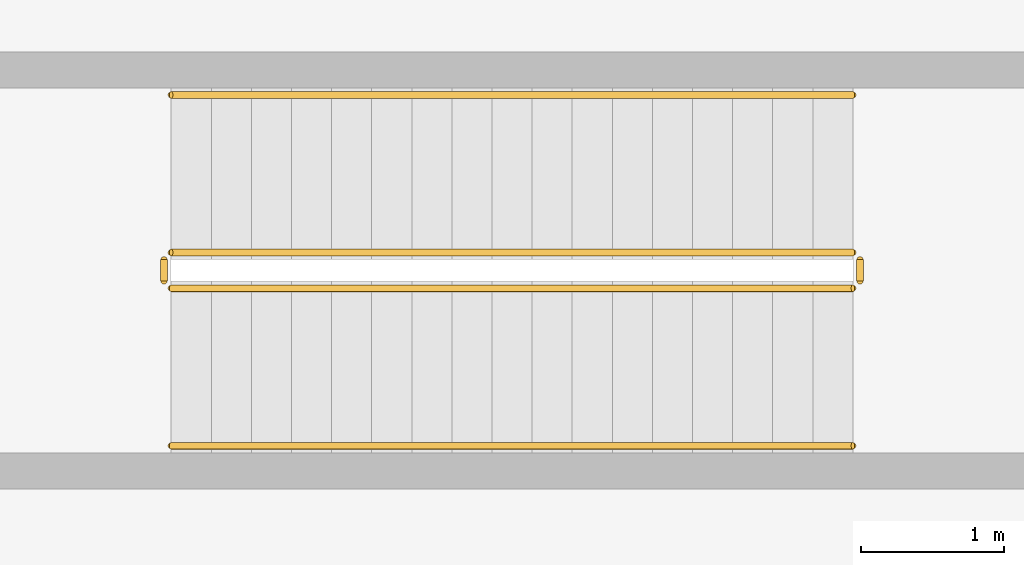
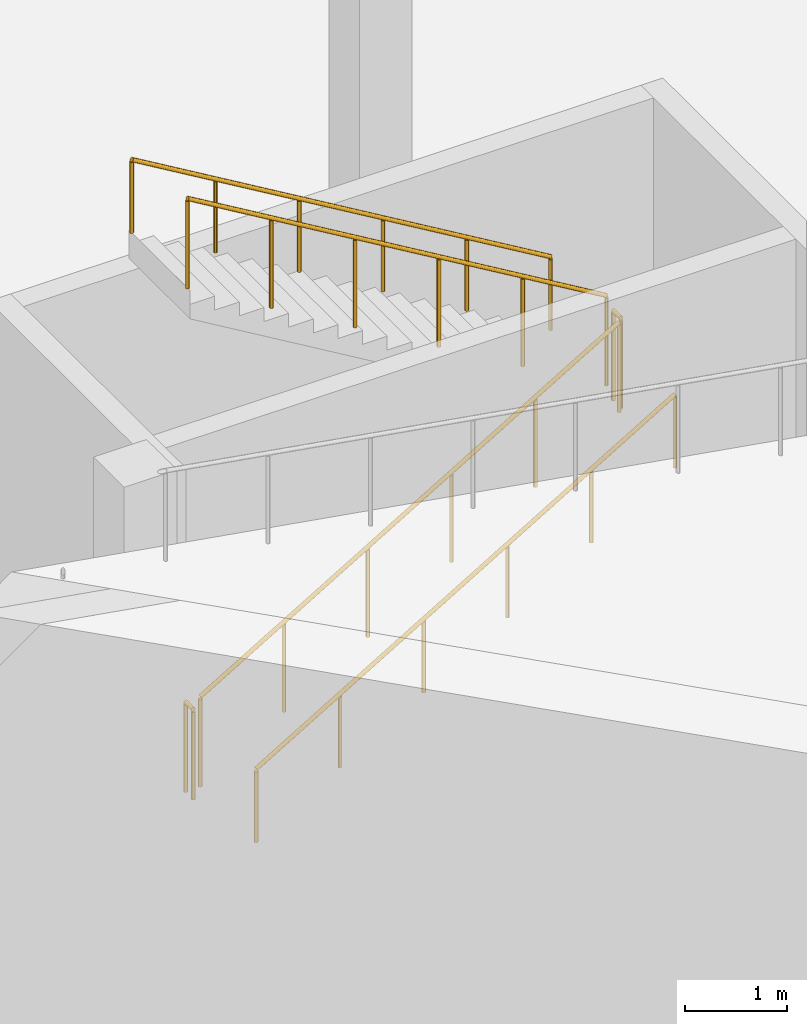
# One storey, part 30 of 45: 6 railings.
"""IFC4 building model written with IfcOpenShell, lengths in metres."""

from ifc_helpers import new_model, si_unit, direction, frame, origin, origin_2d, place, context, subcontext, project, spatial, circle, extrude, material, type_object, element, save


model = new_model("IFC4")

# Units and contexts
model_context = context("Model", 3, precision=1e-05, world=origin(), true_north=direction((0.0, 1.0)))
body_context = subcontext(model_context, "Body", "Model", "MODEL_VIEW")
ifc_project = project(units=[si_unit("LENGTHUNIT", "METRE"), si_unit("AREAUNIT", "SQUARE_METRE"), si_unit("VOLUMEUNIT", "CUBIC_METRE"), si_unit("PLANEANGLEUNIT", "RADIAN"), si_unit("MASSUNIT", "GRAM", prefix="KILO")], contexts=[model_context])

# Site, building, storey
site_placement = place(None, origin())
site = spatial("IfcSite", under=ifc_project, at=site_placement, CompositionType="ELEMENT")
building_placement = place(site_placement, origin())
building = spatial("IfcBuilding", under=site, at=building_placement, Name="Tamorin Gate", CompositionType="ELEMENT")
storey_placement = place(building_placement, frame((0.0, 0.0, -6.0)))
storey = spatial("IfcBuildingStorey", under=building, at=storey_placement, Name="B1", CompositionType="ELEMENT", Elevation=-6.0)

# Railings
ifc_material = material(Name="Steel, galvanised", Category="steel")
railing_type_1 = type_object("IfcRailingType", Name="Steel guard 1100", PredefinedType="GUARDRAIL", material=ifc_material)
railing_1_placement = place(storey_placement, frame((132.35009765625, 15.39990234375, 0.166748046875)))
element("IfcRailing", 1, at=railing_1_placement, inside=storey, type_object=railing_type_1, Name="B1 SB6 stair guard 1", PredefinedType="GUARDRAIL", context=body_context, shape_type="SweptSolid", body=[
    extrude(circle(Radius=0.02392578125, at=origin_2d()), frame((0.0, 0.0, 1.076171875), z_axis=(0.859299802514, 0.0, 0.511472237174), x_axis=(0.0, 1.0, 0.0)), (0.0, 0.0, 1.0), 5.539306640625),
    extrude(circle(Radius=0.02099609375, at=origin_2d()), origin(), (0.0, 0.0, 1.0), 1.052001953125),
    extrude(circle(Radius=0.02099609375, at=origin_2d()), frame((0.951904296875, 0.0, 0.566650390625)), (0.0, 0.0, 1.0), 1.052001953125),
    extrude(circle(Radius=0.02099609375, at=origin_2d()), frame((1.904052734375, 0.0, 1.13330078125)), (0.0, 0.0, 1.0), 1.052001953125),
    extrude(circle(Radius=0.02099609375, at=origin_2d()), frame((2.85595703125, 0.0, 1.699951171875)), (0.0, 0.0, 1.0), 1.052001953125),
    extrude(circle(Radius=0.02099609375, at=origin_2d()), frame((3.80810546875, 0.0, 2.2666015625)), (0.0, 0.0, 1.0), 1.052001953125),
    extrude(circle(Radius=0.02099609375, at=origin_2d()), frame((4.760009765625, 0.0, 2.833251953125)), (0.0, 0.0, 1.0), 1.052001953125),
])
railing_2_placement = place(storey_placement, frame((137.159912109375, 15.449951171875, 3.0)))
element("IfcRailing", 2, at=railing_2_placement, inside=storey, type_object=railing_type_1, Name="B1 SB6 stair guard 2", PredefinedType="GUARDRAIL", context=body_context, shape_type="SweptSolid", body=[
    extrude(circle(Radius=0.02392578125, at=origin_2d()), frame((0.0, 0.0, 1.076171875), z_axis=(0.0, 1.0, 0.0), x_axis=(-1.0, 0.0, 0.0)), (0.0, 0.0, 1.0), 0.150146484375),
    extrude(circle(Radius=0.02099609375, at=origin_2d()), origin(), (0.0, 0.0, 1.0), 1.052001953125),
    extrude(circle(Radius=0.02099609375, at=origin_2d()), frame((0.0, 0.150146484375, 0.0)), (0.0, 0.0, 1.0), 1.052001953125),
])
railing_3_placement = place(storey_placement, frame((137.110107421875, 15.64990234375, 3.166748046875)))
element("IfcRailing", 3, at=railing_3_placement, inside=storey, type_object=railing_type_1, Name="B1 SB6 stair guard 3", PredefinedType="GUARDRAIL", context=body_context, shape_type="SweptSolid", body=[
    extrude(circle(Radius=0.02392578125, at=origin_2d()), frame((0.0, 0.0, 1.076171875), z_axis=(-0.859299802514, 0.0, 0.511472237174), x_axis=(0.0, -1.0, 0.0)), (0.0, 0.0, 1.0), 5.539306640625),
    extrude(circle(Radius=0.02099609375, at=origin_2d()), origin(), (0.0, 0.0, 1.0), 1.052001953125),
    extrude(circle(Radius=0.02099609375, at=origin_2d()), frame((-0.951904296875, 0.0, 0.566650390625)), (0.0, 0.0, 1.0), 1.052001953125),
    extrude(circle(Radius=0.02099609375, at=origin_2d()), frame((-1.904052734375, 0.0, 1.13330078125)), (0.0, 0.0, 1.0), 1.052001953125),
    extrude(circle(Radius=0.02099609375, at=origin_2d()), frame((-2.85595703125, 0.0, 1.699951171875)), (0.0, 0.0, 1.0), 1.052001953125),
    extrude(circle(Radius=0.02099609375, at=origin_2d()), frame((-3.80810546875, 0.0, 2.2666015625)), (0.0, 0.0, 1.0), 1.052001953125),
    extrude(circle(Radius=0.02099609375, at=origin_2d()), frame((-4.760009765625, 0.0, 2.833251953125)), (0.0, 0.0, 1.0), 1.052001953125),
])
railing_4_placement = place(storey_placement, frame((132.300048828125, 15.449951171875, 0.0)))
element("IfcRailing", 4, at=railing_4_placement, inside=storey, type_object=railing_type_1, Name="B1 SB6 stair guard 4", PredefinedType="GUARDRAIL", context=body_context, shape_type="SweptSolid", body=[
    extrude(circle(Radius=0.02392578125, at=origin_2d()), frame((0.0, 0.0, 1.076171875), z_axis=(0.0, 1.0, 0.0), x_axis=(-1.0, 0.0, 0.0)), (0.0, 0.0, 1.0), 0.150146484375),
    extrude(circle(Radius=0.02099609375, at=origin_2d()), origin(), (0.0, 0.0, 1.0), 1.052001953125),
    extrude(circle(Radius=0.02099609375, at=origin_2d()), frame((0.0, 0.150146484375, 0.0)), (0.0, 0.0, 1.0), 1.052001953125),
])
railing_type_2 = type_object("IfcRailingType", Name="Steel handrail 900", PredefinedType="HANDRAIL", material=ifc_material)
railing_5_placement = place(storey_placement, frame((132.35009765625, 14.300048828125, 0.166748046875)))
element("IfcRailing", 5, at=railing_5_placement, inside=storey, type_object=railing_type_2, Name="B1 SB6 stair handrail 1", PredefinedType="HANDRAIL", context=body_context, shape_type="SweptSolid", body=[
    extrude(circle(Radius=0.02392578125, at=origin_2d()), frame((0.0, 0.0, 0.8759765625), z_axis=(0.859299802514, 0.0, 0.511472237174), x_axis=(0.0, 1.0, 0.0)), (0.0, 0.0, 1.0), 5.539306640625),
    extrude(circle(Radius=0.02099609375, at=origin_2d()), origin(), (0.0, 0.0, 1.0), 0.851806640625),
    extrude(circle(Radius=0.02099609375, at=origin_2d()), frame((0.951904296875, 0.0, 0.566650390625)), (0.0, 0.0, 1.0), 0.851806640625),
    extrude(circle(Radius=0.02099609375, at=origin_2d()), frame((1.904052734375, 0.0, 1.13330078125)), (0.0, 0.0, 1.0), 0.851806640625),
    extrude(circle(Radius=0.02099609375, at=origin_2d()), frame((2.85595703125, 0.0, 1.699951171875)), (0.0, 0.0, 1.0), 0.851806640625),
    extrude(circle(Radius=0.02099609375, at=origin_2d()), frame((3.80810546875, 0.0, 2.2666015625)), (0.0, 0.0, 1.0), 0.851806640625),
    extrude(circle(Radius=0.02099609375, at=origin_2d()), frame((4.760009765625, 0.0, 2.833251953125)), (0.0, 0.0, 1.0), 0.851806640625),
])
railing_6_placement = place(storey_placement, frame((137.110107421875, 16.75, 3.166748046875)))
element("IfcRailing", 6, at=railing_6_placement, inside=storey, type_object=railing_type_2, Name="B1 SB6 stair handrail 2", PredefinedType="HANDRAIL", context=body_context, shape_type="SweptSolid", body=[
    extrude(circle(Radius=0.02392578125, at=origin_2d()), frame((0.0, 0.0, 0.8759765625), z_axis=(-0.859299802514, 0.0, 0.511472237174), x_axis=(0.0, -1.0, 0.0)), (0.0, 0.0, 1.0), 5.539306640625),
    extrude(circle(Radius=0.02099609375, at=origin_2d()), origin(), (0.0, 0.0, 1.0), 0.851806640625),
    extrude(circle(Radius=0.02099609375, at=origin_2d()), frame((-0.951904296875, 0.0, 0.566650390625)), (0.0, 0.0, 1.0), 0.851806640625),
    extrude(circle(Radius=0.02099609375, at=origin_2d()), frame((-1.904052734375, 0.0, 1.13330078125)), (0.0, 0.0, 1.0), 0.851806640625),
    extrude(circle(Radius=0.02099609375, at=origin_2d()), frame((-2.85595703125, 0.0, 1.699951171875)), (0.0, 0.0, 1.0), 0.851806640625),
    extrude(circle(Radius=0.02099609375, at=origin_2d()), frame((-3.80810546875, 0.0, 2.2666015625)), (0.0, 0.0, 1.0), 0.851806640625),
    extrude(circle(Radius=0.02099609375, at=origin_2d()), frame((-4.760009765625, 0.0, 2.833251953125)), (0.0, 0.0, 1.0), 0.851806640625),
])

save(model, "model.ifc")
